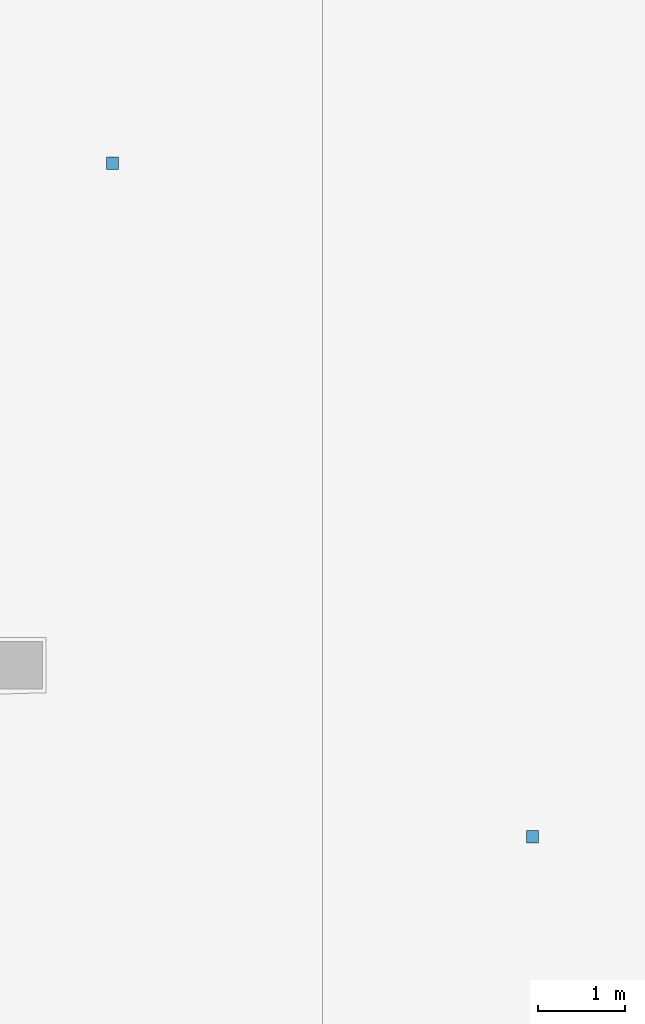
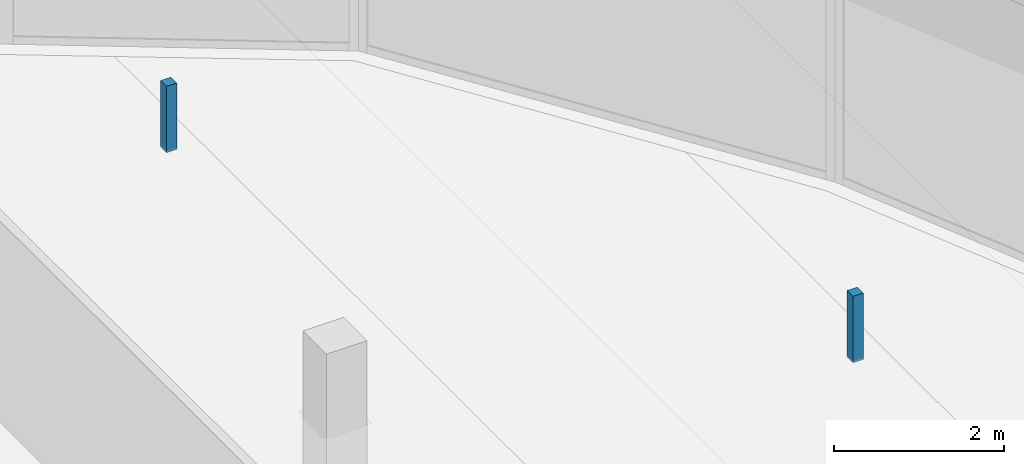
# One storey, part 32 of 39: 2 discrete accessories.
"""IFC4 building model written with IfcOpenShell, lengths in metres."""

from ifc_helpers import new_model, si_unit, direction, frame, origin, origin_2d, place, context, subcontext, project, spatial, rectangle, extrude, material, type_object, element, save


model = new_model("IFC4")

# Units and contexts
model_context = context("Model", 3, precision=1e-05, world=origin(), true_north=direction((0.0, 1.0)))
body_context = subcontext(model_context, "Body", "Model", "MODEL_VIEW")
ifc_project = project(units=[si_unit("LENGTHUNIT", "METRE"), si_unit("AREAUNIT", "SQUARE_METRE"), si_unit("VOLUMEUNIT", "CUBIC_METRE"), si_unit("PLANEANGLEUNIT", "RADIAN"), si_unit("MASSUNIT", "GRAM", prefix="KILO")], contexts=[model_context])

# Site, building, storey
site_placement = place(None, origin())
site = spatial("IfcSite", under=ifc_project, at=site_placement, CompositionType="ELEMENT")
building_placement = place(site_placement, origin())
building = spatial("IfcBuilding", under=site, at=building_placement, Name="Qorvath Tower", CompositionType="ELEMENT")
storey_placement = place(building_placement, frame((0.0, 0.0, 201.0)))
storey = spatial("IfcBuildingStorey", under=building, at=storey_placement, Name="L46", CompositionType="ELEMENT", Elevation=201.0)

# Discrete accessories
ifc_material = material(Name="Galvanised steel bracket", Category="steel")
discrete_accessory_type = type_object("IfcDiscreteAccessoryType", Name="DA-BRACKET", PredefinedType="BRACKET", material=ifc_material)
for number, where, z_axis, x_axis, name in (
    (1, (-10.72021484375, 17.2275390625, 2.85986328125), (0.0, 0.0, 1.0), (1.0, 0.0, 0.0), "Acoustic Ceiling Suspension Hanger T1-L46-021"),
    (2, (-5.886962890625, 9.474609375, 2.85986328125), (0.0, 0.0, 1.0), (1.0, 0.0, 0.0), "Acoustic Ceiling Suspension Hanger T1-L46-022"),
):
    element("IfcDiscreteAccessory", number, at=place(storey_placement, frame(where, z_axis=z_axis, x_axis=x_axis)), inside=storey, type_object=discrete_accessory_type, Name=name, PredefinedType="NOTDEFINED", context=body_context, shape_type="SweptSolid", body=[
        extrude(rectangle(XDim=0.139892578125, YDim=0.139892578125, at=origin_2d()), origin(), (0.0, 0.0, 1.0), 0.949951171875),
    ])

save(model, "model.ifc")
